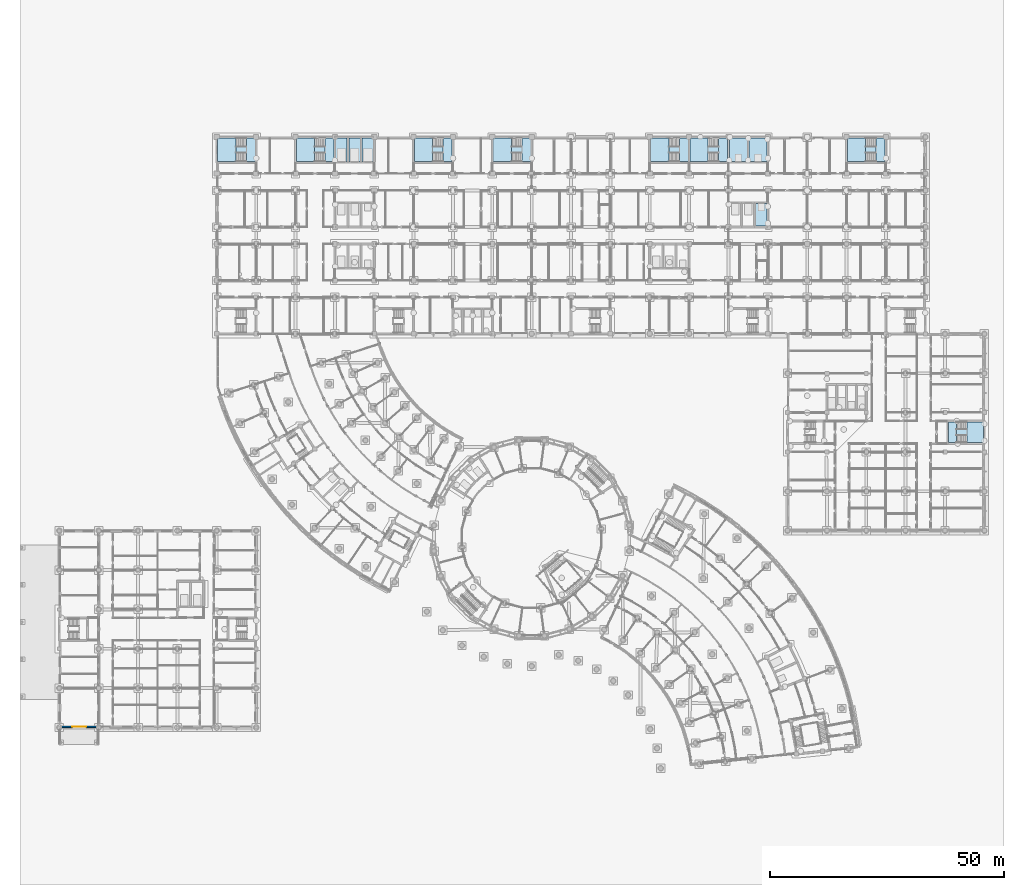
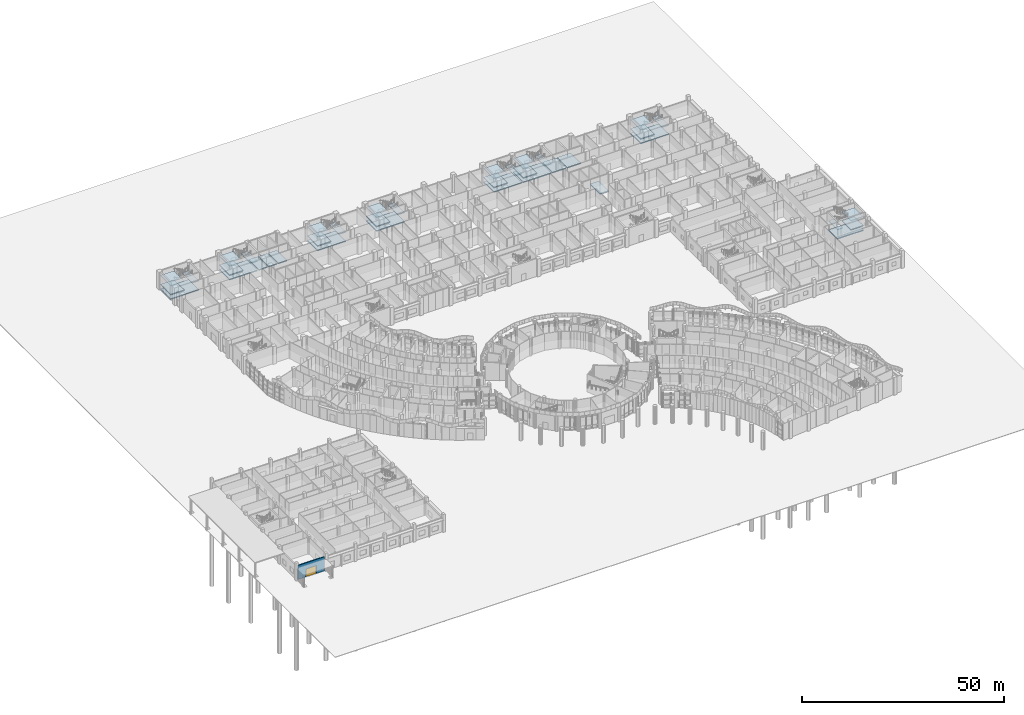
# One storey, part 53 of 146: 38 slabs, 1 door, 1 wall, 1 opening, 8 elements without a shape of their own.
"""IFC4 building model written with IfcOpenShell, lengths in metres."""

from ifc_helpers import new_model, si_unit, direction, frame, frame_2d, origin, place, context, subcontext, project, spatial, polyline, rectangle, outline, extrude, material, layer, layer_set, type_object, element, fill, aggregate, save


model = new_model("IFC4")

# Units and contexts
model_context = context("Model", 3, precision=1e-05, world=origin(), true_north=direction((0.0, 1.0)))
body_context = subcontext(model_context, "Body", "Model", "MODEL_VIEW")
ifc_project = project(units=[si_unit("LENGTHUNIT", "METRE"), si_unit("AREAUNIT", "SQUARE_METRE"), si_unit("VOLUMEUNIT", "CUBIC_METRE"), si_unit("PLANEANGLEUNIT", "RADIAN"), si_unit("MASSUNIT", "GRAM", prefix="KILO")], contexts=[model_context])

# Site, building, storey
site_placement = place(None, origin())
site = spatial("IfcSite", under=ifc_project, at=site_placement, CompositionType="ELEMENT")
building_placement = place(site_placement, origin())
building = spatial("IfcBuilding", under=site, at=building_placement, Name="Bougainvillea Quay General Hospital", CompositionType="ELEMENT")
storey_placement = place(building_placement, origin())
storey = spatial("IfcBuildingStorey", under=building, at=storey_placement, Name="L00", CompositionType="ELEMENT", Elevation=0.0)

# Slabs
ifc_material_1 = material(Name="Concrete C35", Category="concrete")
ifc_layer_1 = layer(ifc_material_1, 0.300048828125)
ifc_layer_set_1 = layer_set([ifc_layer_1], Name="Concrete C35")
slab_type_1 = type_object("IfcSlabType", Name="RC FLAT SLAB 300 C35 GROUND", PredefinedType="BASESLAB", material=ifc_layer_set_1)
slab_1_placement = place(storey_placement, frame((0.0, 0.0, -0.300048828125)))
element("IfcSlab", 1, at=slab_1_placement, inside=storey, type_object=slab_type_1, Name="Slab S1 L00", PredefinedType="BASESLAB", context=body_context, shape_type="SweptSolid", body=[
    extrude(outline(polyline([(205.625, 94.375), (205.625, 98.824951171875), (198.175048828125, 98.824951171875), (198.175048828125, 94.375), (205.625, 94.375)])), origin(), (0.0, 0.0, 1.0), 0.300048828125),
])
slab_2_placement = place(storey_placement, frame((0.0, 0.0, -0.300048828125)))
element("IfcSlab", 2, at=slab_2_placement, inside=storey, type_object=slab_type_1, Name="Slab S1 L00", PredefinedType="BASESLAB", context=body_context, shape_type="SweptSolid", body=[
    extrude(outline(polyline([(100.97509765625, 159.425048828125), (100.97509765625, 154.375), (109.02490234375, 154.375), (109.02490234375, 159.425048828125), (100.97509765625, 159.425048828125)])), origin(), (0.0, 0.0, 1.0), 0.300048828125),
])
slab_3_placement = place(storey_placement, frame((0.0, 0.0, -0.300048828125)))
element("IfcSlab", 3, at=slab_3_placement, inside=storey, type_object=slab_type_1, Name="Slab S1 L00", PredefinedType="BASESLAB", context=body_context, shape_type="SweptSolid", body=[
    extrude(outline(polyline([(92.22509765625, 154.375), (92.22509765625, 159.425048828125), (84.175048828125, 159.425048828125), (84.175048828125, 154.375), (92.22509765625, 154.375)])), origin(), (0.0, 0.0, 1.0), 0.300048828125),
])
slab_4_placement = place(storey_placement, frame((0.0, 0.0, -0.300048828125)))
element("IfcSlab", 4, at=slab_4_placement, inside=storey, type_object=slab_type_1, Name="Slab S1 L00", PredefinedType="BASESLAB", context=body_context, shape_type="SweptSolid", body=[
    extrude(outline(polyline([(67.02490234375, 154.375), (67.02490234375, 159.425048828125), (58.97509765625, 159.425048828125), (58.97509765625, 154.375), (67.02490234375, 154.375)])), origin(), (0.0, 0.0, 1.0), 0.300048828125),
])
slab_5_placement = place(storey_placement, frame((0.0, 0.0, -0.300048828125)))
element("IfcSlab", 5, at=slab_5_placement, inside=storey, type_object=slab_type_1, Name="Slab S1 L00", PredefinedType="BASESLAB", context=body_context, shape_type="SweptSolid", body=[
    extrude(outline(polyline([(50.22509765625, 154.375), (50.22509765625, 159.425048828125), (42.175048828125, 159.425048828125), (42.175048828125, 154.375), (50.22509765625, 154.375)])), origin(), (0.0, 0.0, 1.0), 0.300048828125),
])
slab_6_placement = place(storey_placement, frame((0.0, 0.0, -0.300048828125)))
element("IfcSlab", 6, at=slab_6_placement, inside=storey, type_object=slab_type_1, Name="Slab S1 L00", PredefinedType="BASESLAB", context=body_context, shape_type="SweptSolid", body=[
    extrude(outline(polyline([(176.574951171875, 154.375), (184.625, 154.375), (184.625, 159.425048828125), (176.574951171875, 159.425048828125), (176.574951171875, 154.375)])), origin(), (0.0, 0.0, 1.0), 0.300048828125),
])
slab_7_placement = place(storey_placement, frame((0.0, 0.0, -0.300048828125)))
element("IfcSlab", 7, at=slab_7_placement, inside=storey, type_object=slab_type_1, Name="Slab S1 L00", PredefinedType="BASESLAB", context=body_context, shape_type="SweptSolid", body=[
    extrude(outline(polyline([(134.574951171875, 159.425048828125), (134.574951171875, 154.375), (142.625, 154.375), (142.625, 159.425048828125), (134.574951171875, 159.425048828125)])), origin(), (0.0, 0.0, 1.0), 0.300048828125),
])
slab_8_placement = place(storey_placement, frame((0.0, 0.0, -0.300048828125)))
element("IfcSlab", 8, at=slab_8_placement, inside=storey, type_object=slab_type_1, Name="Slab S1 L00", PredefinedType="BASESLAB", context=body_context, shape_type="SweptSolid", body=[
    extrude(outline(polyline([(142.97509765625, 159.425048828125), (142.97509765625, 154.375), (151.02490234375, 154.375), (151.02490234375, 159.425048828125), (142.97509765625, 159.425048828125)])), origin(), (0.0, 0.0, 1.0), 0.300048828125),
])
slab_9_placement = place(storey_placement, frame((0.0, 0.0, -0.300048828125)))
element("IfcSlab", 9, at=slab_9_placement, inside=storey, type_object=slab_type_1, Name="Slab S1 L00", PredefinedType="BASESLAB", context=body_context, shape_type="SweptSolid", body=[
    extrude(outline(polyline([(151.375, 159.425048828125), (151.375, 154.375), (155.22509765625, 154.375), (155.22509765625, 159.425048828125), (151.375, 159.425048828125)])), origin(), (0.0, 0.0, 1.0), 0.300048828125),
])
slab_10_placement = place(storey_placement, frame((0.0, 0.0, -0.300048828125)))
element("IfcSlab", 10, at=slab_10_placement, inside=storey, type_object=slab_type_1, Name="Slab S1 L00", PredefinedType="BASESLAB", context=body_context, shape_type="SweptSolid", body=[
    extrude(outline(polyline([(155.574951171875, 159.425048828125), (155.574951171875, 154.375), (159.425048828125, 154.375), (159.425048828125, 159.425048828125), (155.574951171875, 159.425048828125)])), origin(), (0.0, 0.0, 1.0), 0.300048828125),
])
slab_11_placement = place(storey_placement, frame((0.0, 0.0, -0.300048828125)))
element("IfcSlab", 11, at=slab_11_placement, inside=storey, type_object=slab_type_1, Name="Slab S1 L00", PredefinedType="BASESLAB", context=body_context, shape_type="SweptSolid", body=[
    extrude(outline(polyline([(75.425048828125, 154.375), (75.425048828125, 159.425048828125), (72.97509765625, 159.425048828125), (72.97509765625, 154.375), (75.425048828125, 154.375)])), origin(), (0.0, 0.0, 1.0), 0.300048828125),
])
slab_12_placement = place(storey_placement, frame((0.0, 0.0, -0.300048828125)))
element("IfcSlab", 12, at=slab_12_placement, inside=storey, type_object=slab_type_1, Name="Slab S1 L00", PredefinedType="BASESLAB", context=body_context, shape_type="SweptSolid", body=[
    extrude(outline(polyline([(72.625, 154.375), (72.625, 159.425048828125), (70.175048828125, 159.425048828125), (70.175048828125, 154.375), (72.625, 154.375)])), origin(), (0.0, 0.0, 1.0), 0.300048828125),
])
slab_13_placement = place(storey_placement, frame((0.0, 0.0, -0.300048828125)))
element("IfcSlab", 13, at=slab_13_placement, inside=storey, type_object=slab_type_1, Name="Slab S1 L00", PredefinedType="BASESLAB", context=body_context, shape_type="SweptSolid", body=[
    extrude(outline(polyline([(69.824951171875, 159.425048828125), (67.375, 159.425048828125), (67.375, 154.375), (69.824951171875, 154.375), (69.824951171875, 159.425048828125)])), origin(), (0.0, 0.0, 1.0), 0.300048828125),
])
slab_14_placement = place(storey_placement, frame((0.0, 0.0, -0.300048828125)))
element("IfcSlab", 14, at=slab_14_placement, inside=storey, type_object=slab_type_1, Name="Slab S1 L00", PredefinedType="BASESLAB", context=body_context, shape_type="SweptSolid", body=[
    extrude(outline(polyline([(156.97509765625, 145.425048828125), (156.97509765625, 140.574951171875), (159.425048828125, 140.574951171875), (159.425048828125, 145.425048828125), (156.97509765625, 145.425048828125)])), origin(), (0.0, 0.0, 1.0), 0.300048828125),
])

# Stair, slabs
stair_type_1 = type_object("IfcStairType", Name="Stair half-turn 1925 wide", PredefinedType="HALF_TURN_STAIR", material=ifc_material_1)
stair_1_placement = place(storey_placement, origin())
stair_1 = element("IfcStair", 15, at=stair_1_placement, inside=storey, type_object=stair_type_1, Name="L00 stair ST-D1", PredefinedType="HALF_TURN_STAIR")
ifc_layer_2 = layer(ifc_material_1, 0.199951171875)
ifc_layer_set_2 = layer_set([ifc_layer_2], Name="Concrete C35")
slab_type_2 = type_object("IfcSlabType", Name="Stair landing 200", PredefinedType="LANDING", material=ifc_layer_set_2)
slab_15_placement = place(storey_placement, frame((0.0, 0.0, 1.14990234375)))
slab_15 = element("IfcSlab", 16, at=slab_15_placement, type_object=slab_type_2, Name="ST-D1 landing 1", PredefinedType="LANDING", context=body_context, shape_type="SweptSolid", body=[
    extrude(outline(polyline([(62.860107421875, 159.425048828125), (58.97509765625, 159.425048828125), (58.97509765625, 154.375), (62.860107421875, 154.375), (62.860107421875, 159.425048828125)])), origin(), (0.0, 0.0, 1.0), 0.2001953125),
])
slab_16_placement = place(storey_placement, frame((0.0, 0.0, 2.5)))
slab_16 = element("IfcSlab", 17, at=slab_16_placement, type_object=slab_type_2, Name="ST-D1 landing 2", PredefinedType="LANDING", context=body_context, shape_type="SweptSolid", body=[
    extrude(outline(polyline([(67.02490234375, 159.425048828125), (65.10009765625, 159.425048828125), (65.10009765625, 154.375), (67.02490234375, 154.375), (67.02490234375, 159.425048828125)])), origin(), (0.0, 0.0, 1.0), 0.199951171875),
])
slab_17_placement = place(storey_placement, frame((0.0, 0.0, 3.85009765625)))
slab_17 = element("IfcSlab", 18, at=slab_17_placement, type_object=slab_type_2, Name="ST-D1 landing 3", PredefinedType="LANDING", context=body_context, shape_type="SweptSolid", body=[
    extrude(outline(polyline([(62.860107421875, 159.425048828125), (58.97509765625, 159.425048828125), (58.97509765625, 154.375), (62.860107421875, 154.375), (62.860107421875, 159.425048828125)])), origin(), (0.0, 0.0, 1.0), 0.199951171875),
])
aggregate(stair_1, [slab_15, slab_16, slab_17])

stair_2_placement = place(storey_placement, origin())
stair_2 = element("IfcStair", 19, at=stair_2_placement, inside=storey, type_object=stair_type_1, Name="L00 stair ST-D3", PredefinedType="HALF_TURN_STAIR")
slab_18_placement = place(storey_placement, frame((0.0, 0.0, 1.14990234375)))
slab_18 = element("IfcSlab", 20, at=slab_18_placement, type_object=slab_type_2, Name="ST-D3 landing 1", PredefinedType="LANDING", context=body_context, shape_type="SweptSolid", body=[
    extrude(outline(polyline([(146.860107421875, 159.425048828125), (142.97509765625, 159.425048828125), (142.97509765625, 154.375), (146.860107421875, 154.375), (146.860107421875, 159.425048828125)])), origin(), (0.0, 0.0, 1.0), 0.2001953125),
])
slab_19_placement = place(storey_placement, frame((0.0, 0.0, 2.5)))
slab_19 = element("IfcSlab", 21, at=slab_19_placement, type_object=slab_type_2, Name="ST-D3 landing 2", PredefinedType="LANDING", context=body_context, shape_type="SweptSolid", body=[
    extrude(outline(polyline([(151.02490234375, 159.425048828125), (149.10009765625, 159.425048828125), (149.10009765625, 154.375), (151.02490234375, 154.375), (151.02490234375, 159.425048828125)])), origin(), (0.0, 0.0, 1.0), 0.199951171875),
])
slab_20_placement = place(storey_placement, frame((0.0, 0.0, 3.85009765625)))
slab_20 = element("IfcSlab", 22, at=slab_20_placement, type_object=slab_type_2, Name="ST-D3 landing 3", PredefinedType="LANDING", context=body_context, shape_type="SweptSolid", body=[
    extrude(outline(polyline([(146.860107421875, 159.425048828125), (142.97509765625, 159.425048828125), (142.97509765625, 154.375), (146.860107421875, 154.375), (146.860107421875, 159.425048828125)])), origin(), (0.0, 0.0, 1.0), 0.199951171875),
])
aggregate(stair_2, [slab_18, slab_19, slab_20])

stair_type_2 = type_object("IfcStairType", Name="Stair half-turn 1650 wide", PredefinedType="HALF_TURN_STAIR", material=ifc_material_1)
stair_3_placement = place(storey_placement, origin())
stair_3 = element("IfcStair", 23, at=stair_3_placement, inside=storey, type_object=stair_type_2, Name="L00 stair ST-T2", PredefinedType="HALF_TURN_STAIR")
slab_21_placement = place(storey_placement, frame((0.0, 0.0, 1.14990234375)))
slab_21 = element("IfcSlab", 24, at=slab_21_placement, type_object=slab_type_2, Name="ST-T2 landing 1", PredefinedType="LANDING", context=body_context, shape_type="SweptSolid", body=[
    extrude(outline(polyline([(202.06494140625, 94.375), (205.625, 94.375), (205.625, 98.824951171875), (202.06494140625, 98.824951171875), (202.06494140625, 94.375)])), origin(), (0.0, 0.0, 1.0), 0.2001953125),
])
slab_22_placement = place(storey_placement, frame((0.0, 0.0, 2.5)))
slab_22 = element("IfcSlab", 25, at=slab_22_placement, type_object=slab_type_2, Name="ST-T2 landing 2", PredefinedType="LANDING", context=body_context, shape_type="SweptSolid", body=[
    extrude(outline(polyline([(198.175048828125, 94.375), (199.824951171875, 94.375), (199.824951171875, 98.824951171875), (198.175048828125, 98.824951171875), (198.175048828125, 94.375)])), origin(), (0.0, 0.0, 1.0), 0.199951171875),
])
slab_23_placement = place(storey_placement, frame((0.0, 0.0, 3.85009765625)))
slab_23 = element("IfcSlab", 26, at=slab_23_placement, type_object=slab_type_2, Name="ST-T2 landing 3", PredefinedType="LANDING", context=body_context, shape_type="SweptSolid", body=[
    extrude(outline(polyline([(202.06494140625, 94.375), (205.625, 94.375), (205.625, 98.824951171875), (202.06494140625, 98.824951171875), (202.06494140625, 94.375)])), origin(), (0.0, 0.0, 1.0), 0.199951171875),
])
aggregate(stair_3, [slab_21, slab_22, slab_23])

stair_4_placement = place(storey_placement, origin())
stair_4 = element("IfcStair", 27, at=stair_4_placement, inside=storey, type_object=stair_type_1, Name="L00 stair ST-A1", PredefinedType="HALF_TURN_STAIR")
slab_24_placement = place(storey_placement, frame((0.0, 0.0, 1.14990234375)))
slab_24 = element("IfcSlab", 28, at=slab_24_placement, type_object=slab_type_2, Name="ST-A1 landing 1", PredefinedType="LANDING", context=body_context, shape_type="SweptSolid", body=[
    extrude(outline(polyline([(46.06005859375, 159.425048828125), (42.175048828125, 159.425048828125), (42.175048828125, 154.375), (46.06005859375, 154.375), (46.06005859375, 159.425048828125)])), origin(), (0.0, 0.0, 1.0), 0.2001953125),
])
slab_25_placement = place(storey_placement, frame((0.0, 0.0, 2.5)))
slab_25 = element("IfcSlab", 29, at=slab_25_placement, type_object=slab_type_2, Name="ST-A1 landing 2", PredefinedType="LANDING", context=body_context, shape_type="SweptSolid", body=[
    extrude(outline(polyline([(50.22509765625, 159.425048828125), (48.300048828125, 159.425048828125), (48.300048828125, 154.375), (50.22509765625, 154.375), (50.22509765625, 159.425048828125)])), origin(), (0.0, 0.0, 1.0), 0.199951171875),
])
slab_26_placement = place(storey_placement, frame((0.0, 0.0, 3.85009765625)))
slab_26 = element("IfcSlab", 30, at=slab_26_placement, type_object=slab_type_2, Name="ST-A1 landing 3", PredefinedType="LANDING", context=body_context, shape_type="SweptSolid", body=[
    extrude(outline(polyline([(46.06005859375, 159.425048828125), (42.175048828125, 159.425048828125), (42.175048828125, 154.375), (46.06005859375, 154.375), (46.06005859375, 159.425048828125)])), origin(), (0.0, 0.0, 1.0), 0.199951171875),
])
aggregate(stair_4, [slab_24, slab_25, slab_26])

stair_5_placement = place(storey_placement, origin())
stair_5 = element("IfcStair", 31, at=stair_5_placement, inside=storey, type_object=stair_type_1, Name="L00 stair ST-A2", PredefinedType="HALF_TURN_STAIR")
slab_27_placement = place(storey_placement, frame((0.0, 0.0, 1.14990234375)))
slab_27 = element("IfcSlab", 32, at=slab_27_placement, type_object=slab_type_2, Name="ST-A2 landing 1", PredefinedType="LANDING", context=body_context, shape_type="SweptSolid", body=[
    extrude(outline(polyline([(88.06005859375, 159.425048828125), (84.175048828125, 159.425048828125), (84.175048828125, 154.375), (88.06005859375, 154.375), (88.06005859375, 159.425048828125)])), origin(), (0.0, 0.0, 1.0), 0.2001953125),
])
slab_28_placement = place(storey_placement, frame((0.0, 0.0, 2.5)))
slab_28 = element("IfcSlab", 33, at=slab_28_placement, type_object=slab_type_2, Name="ST-A2 landing 2", PredefinedType="LANDING", context=body_context, shape_type="SweptSolid", body=[
    extrude(outline(polyline([(92.22509765625, 159.425048828125), (90.300048828125, 159.425048828125), (90.300048828125, 154.375), (92.22509765625, 154.375), (92.22509765625, 159.425048828125)])), origin(), (0.0, 0.0, 1.0), 0.199951171875),
])
slab_29_placement = place(storey_placement, frame((0.0, 0.0, 3.85009765625)))
slab_29 = element("IfcSlab", 34, at=slab_29_placement, type_object=slab_type_2, Name="ST-A2 landing 3", PredefinedType="LANDING", context=body_context, shape_type="SweptSolid", body=[
    extrude(outline(polyline([(88.06005859375, 159.425048828125), (84.175048828125, 159.425048828125), (84.175048828125, 154.375), (88.06005859375, 154.375), (88.06005859375, 159.425048828125)])), origin(), (0.0, 0.0, 1.0), 0.199951171875),
])
aggregate(stair_5, [slab_27, slab_28, slab_29])

stair_6_placement = place(storey_placement, origin())
stair_6 = element("IfcStair", 35, at=stair_6_placement, inside=storey, type_object=stair_type_1, Name="L00 stair ST-A3", PredefinedType="HALF_TURN_STAIR")
slab_30_placement = place(storey_placement, frame((0.0, 0.0, 1.14990234375)))
slab_30 = element("IfcSlab", 36, at=slab_30_placement, type_object=slab_type_2, Name="ST-A3 landing 1", PredefinedType="LANDING", context=body_context, shape_type="SweptSolid", body=[
    extrude(outline(polyline([(138.4599609375, 159.425048828125), (134.574951171875, 159.425048828125), (134.574951171875, 154.375), (138.4599609375, 154.375), (138.4599609375, 159.425048828125)])), origin(), (0.0, 0.0, 1.0), 0.2001953125),
])
slab_31_placement = place(storey_placement, frame((0.0, 0.0, 2.5)))
slab_31 = element("IfcSlab", 37, at=slab_31_placement, type_object=slab_type_2, Name="ST-A3 landing 2", PredefinedType="LANDING", context=body_context, shape_type="SweptSolid", body=[
    extrude(outline(polyline([(142.625, 159.425048828125), (140.699951171875, 159.425048828125), (140.699951171875, 154.375), (142.625, 154.375), (142.625, 159.425048828125)])), origin(), (0.0, 0.0, 1.0), 0.199951171875),
])
slab_32_placement = place(storey_placement, frame((0.0, 0.0, 3.85009765625)))
slab_32 = element("IfcSlab", 38, at=slab_32_placement, type_object=slab_type_2, Name="ST-A3 landing 3", PredefinedType="LANDING", context=body_context, shape_type="SweptSolid", body=[
    extrude(outline(polyline([(138.4599609375, 159.425048828125), (134.574951171875, 159.425048828125), (134.574951171875, 154.375), (138.4599609375, 154.375), (138.4599609375, 159.425048828125)])), origin(), (0.0, 0.0, 1.0), 0.199951171875),
])
aggregate(stair_6, [slab_30, slab_31, slab_32])

stair_7_placement = place(storey_placement, origin())
stair_7 = element("IfcStair", 39, at=stair_7_placement, inside=storey, type_object=stair_type_1, Name="L00 stair ST-A4", PredefinedType="HALF_TURN_STAIR")
slab_33_placement = place(storey_placement, frame((0.0, 0.0, 1.14990234375)))
slab_33 = element("IfcSlab", 40, at=slab_33_placement, type_object=slab_type_2, Name="ST-A4 landing 1", PredefinedType="LANDING", context=body_context, shape_type="SweptSolid", body=[
    extrude(outline(polyline([(180.4599609375, 159.425048828125), (176.574951171875, 159.425048828125), (176.574951171875, 154.375), (180.4599609375, 154.375), (180.4599609375, 159.425048828125)])), origin(), (0.0, 0.0, 1.0), 0.2001953125),
])
slab_34_placement = place(storey_placement, frame((0.0, 0.0, 2.5)))
slab_34 = element("IfcSlab", 41, at=slab_34_placement, type_object=slab_type_2, Name="ST-A4 landing 2", PredefinedType="LANDING", context=body_context, shape_type="SweptSolid", body=[
    extrude(outline(polyline([(184.625, 159.425048828125), (182.699951171875, 159.425048828125), (182.699951171875, 154.375), (184.625, 154.375), (184.625, 159.425048828125)])), origin(), (0.0, 0.0, 1.0), 0.199951171875),
])
slab_35_placement = place(storey_placement, frame((0.0, 0.0, 3.85009765625)))
slab_35 = element("IfcSlab", 42, at=slab_35_placement, type_object=slab_type_2, Name="ST-A4 landing 3", PredefinedType="LANDING", context=body_context, shape_type="SweptSolid", body=[
    extrude(outline(polyline([(180.4599609375, 159.425048828125), (176.574951171875, 159.425048828125), (176.574951171875, 154.375), (180.4599609375, 154.375), (180.4599609375, 159.425048828125)])), origin(), (0.0, 0.0, 1.0), 0.199951171875),
])
aggregate(stair_7, [slab_33, slab_34, slab_35])

stair_8_placement = place(storey_placement, origin())
stair_8 = element("IfcStair", 43, at=stair_8_placement, inside=storey, type_object=stair_type_1, Name="L00 stair ST-A5", PredefinedType="HALF_TURN_STAIR")
slab_36_placement = place(storey_placement, frame((0.0, 0.0, 1.14990234375)))
slab_36 = element("IfcSlab", 44, at=slab_36_placement, type_object=slab_type_2, Name="ST-A5 landing 1", PredefinedType="LANDING", context=body_context, shape_type="SweptSolid", body=[
    extrude(outline(polyline([(104.860107421875, 159.425048828125), (100.97509765625, 159.425048828125), (100.97509765625, 154.375), (104.860107421875, 154.375), (104.860107421875, 159.425048828125)])), origin(), (0.0, 0.0, 1.0), 0.2001953125),
])
slab_37_placement = place(storey_placement, frame((0.0, 0.0, 2.5)))
slab_37 = element("IfcSlab", 45, at=slab_37_placement, type_object=slab_type_2, Name="ST-A5 landing 2", PredefinedType="LANDING", context=body_context, shape_type="SweptSolid", body=[
    extrude(outline(polyline([(109.02490234375, 159.425048828125), (107.10009765625, 159.425048828125), (107.10009765625, 154.375), (109.02490234375, 154.375), (109.02490234375, 159.425048828125)])), origin(), (0.0, 0.0, 1.0), 0.199951171875),
])
slab_38_placement = place(storey_placement, frame((0.0, 0.0, 3.85009765625)))
slab_38 = element("IfcSlab", 46, at=slab_38_placement, type_object=slab_type_2, Name="ST-A5 landing 3", PredefinedType="LANDING", context=body_context, shape_type="SweptSolid", body=[
    extrude(outline(polyline([(104.860107421875, 159.425048828125), (100.97509765625, 159.425048828125), (100.97509765625, 154.375), (104.860107421875, 154.375), (104.860107421875, 159.425048828125)])), origin(), (0.0, 0.0, 1.0), 0.199951171875),
])
aggregate(stair_8, [slab_36, slab_37, slab_38])

# Wall, opening, door
ifc_material_2 = material(Name="Pale stone rainscreen cladding on insulated masonry backing, pale stone", Category="masonry")
ifc_layer_3 = layer(ifc_material_2, 0.300048828125)
ifc_layer_set_3 = layer_set([ifc_layer_3], Name="Pale stone rainscreen cladding on insulated masonry backing, pale stone")
wall_type = type_object("IfcWallType", Name="External wall pale stone rainscreen 300", PredefinedType="STANDARD", material=ifc_layer_set_3)
wall_placement = place(storey_placement, frame((8.800048828125, 33.75, 0.0), z_axis=(0.0, 0.0, 1.0), x_axis=(1.0, 0.0, 0.0)))
wall = element("IfcWall", 47, at=wall_placement, inside=storey, type_object=wall_type, Name="External wall wall/V2/L00/p0/03a", PredefinedType="STANDARD", context=body_context, shape_type="SweptSolid", body=[
    extrude(rectangle(XDim=7.599853515625, YDim=0.300048828125, at=frame_2d((3.7998046875, 0.0))), origin(), (0.0, 0.0, 1.0), 4.25),
])
opening_placement = place(wall_placement, frame((2.300048828125, 0.0, 0.0)))
opening = element("IfcOpeningElement", 48, at=opening_placement, cuts=wall, Name="Opening L00.357", PredefinedType="OPENING", context=body_context, shape_type="SweptSolid", body=[
    extrude(rectangle(XDim=3.0, YDim=2.39990234375, at=frame_2d((1.5, 1.199951171875))), frame((0.0, 0.159912109375, 0.0), z_axis=(0.0, -1.0, 0.0), x_axis=(1.0, 0.0, 0.0)), (0.0, 0.0, 1.0), 0.320068359375),
])
ifc_material_3 = material(Name="Aluminium and toughened glass sliding door set, anodised", Category="aluminium")
door_type = type_object("IfcDoorType", Name="Automatic sliding entrance door 3000x2400", OperationType="SLIDING_TO_LEFT", PredefinedType="DOOR", material=ifc_material_3)
door_placement = place(opening_placement, frame((3.0, 0.0, 0.0), z_axis=(0.0, 0.0, 1.0), x_axis=(-1.0, 0.0, 0.0)))
door = element("IfcDoor", 49, at=door_placement, inside=storey, type_object=door_type, Name="Emergency walk-in entrance", OperationType="SINGLE_SWING_LEFT", OverallHeight=2.39990234375, OverallWidth=3.0, PredefinedType="DOOR", context=body_context, shape_type="SweptSolid", body=[
    extrude(rectangle(XDim=3.0, YDim=2.39990234375, at=frame_2d((1.5, 1.199951171875))), frame((0.0, 0.02490234375, 0.0), z_axis=(0.0, -1.0, 0.0), x_axis=(1.0, 0.0, 0.0)), (0.0, 0.0, 1.0), 0.050048828125),
])
fill(opening, door)

save(model, "model.ifc")
